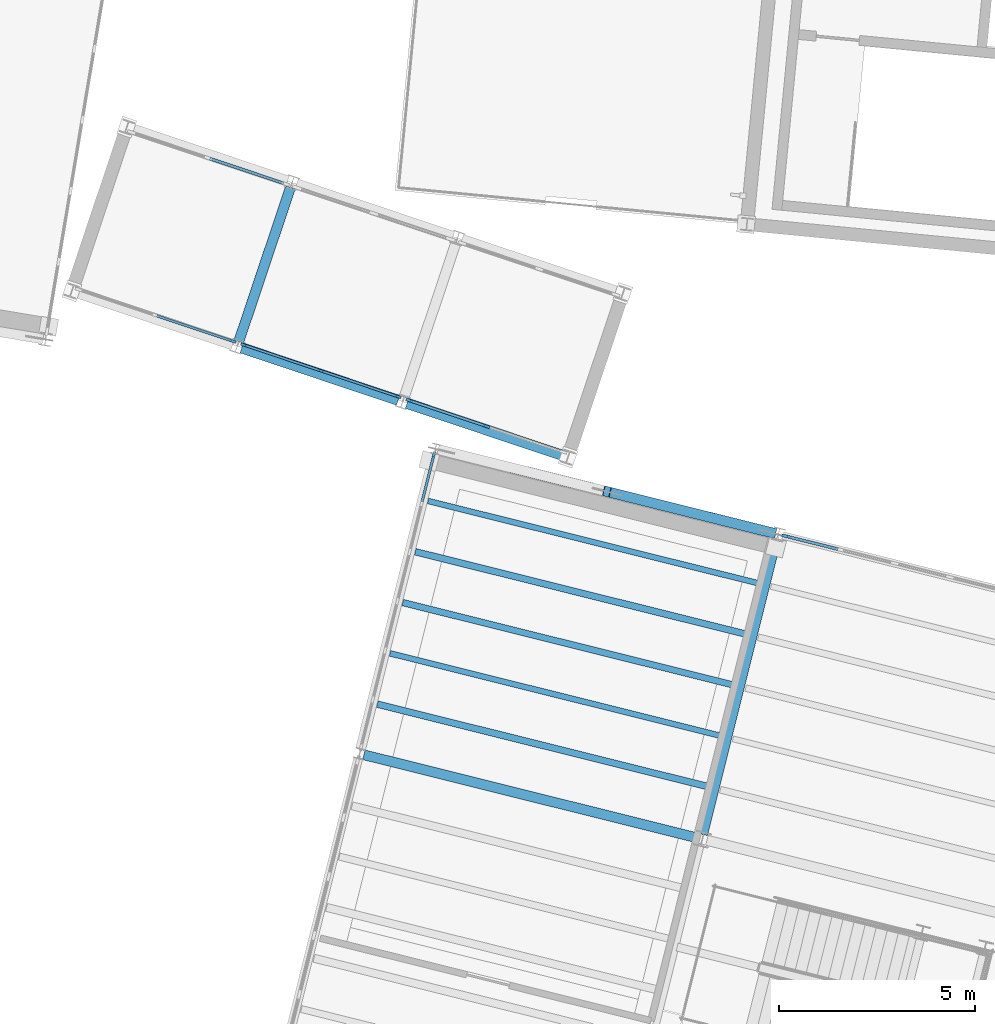
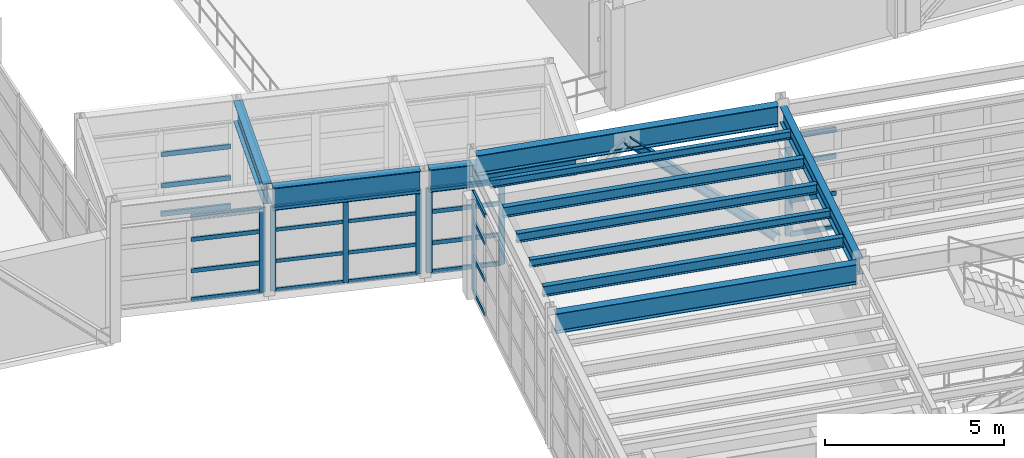
# One storey, part 26 of 102: 36 members, 11 beams, 6 elements without a shape of their own.
"""IFC4 building model written with IfcOpenShell, lengths in metres."""

from ifc_helpers import new_model, si_unit, direction, frame, origin, origin_2d, place, context, subcontext, project, spatial, rectangle, i_section, extrude, material, layer, layer_set, material_profile, profile_set, type_object, element, aggregate, save


model = new_model("IFC4")

# Units and contexts
model_context = context("Model", 3, precision=1e-05, world=origin(), true_north=direction((0.0, 1.0)))
body_context = subcontext(model_context, "Body", "Model", "MODEL_VIEW")
ifc_project = project(units=[si_unit("LENGTHUNIT", "METRE"), si_unit("AREAUNIT", "SQUARE_METRE"), si_unit("VOLUMEUNIT", "CUBIC_METRE"), si_unit("PLANEANGLEUNIT", "RADIAN"), si_unit("MASSUNIT", "GRAM", prefix="KILO")], contexts=[model_context])

# Site, building, storey
site_placement = place(None, origin())
site = spatial("IfcSite", under=ifc_project, at=site_placement, CompositionType="ELEMENT")
building_placement = place(site_placement, origin())
building = spatial("IfcBuilding", under=site, at=building_placement, Name="Vireo Bluff Cable Station", CompositionType="ELEMENT")
storey_placement = place(building_placement, frame((0.0, 0.0, 9.60009765625)))
storey = spatial("IfcBuildingStorey", under=building, at=storey_placement, Name="L02", CompositionType="ELEMENT", Elevation=9.60009765625)

# Beam
ifc_material_1 = material(Name="Steel ASTM A992 Gr. 50", Category="steel")
ifc_material_profile_1 = material_profile(ifc_material_1, i_section(OverallWidth=0.2099609375, OverallDepth=0.535888671875, WebThickness=0.010986328125, FlangeThickness=0.017333984375, FilletRadius=0.012939453125, at=origin_2d()), Name="W21X68")
ifc_profile_set_1 = profile_set([ifc_material_profile_1], Name="Steel ASTM A992 Gr. 50")
beam_type_1 = type_object("IfcBeamType", Name="BM-W21X68", PredefinedType="BEAM", material=ifc_profile_set_1)
beam_1_placement = place(storey_placement, frame((66.63232421875, 51.4638671875, 4.27197265625), z_axis=(0.241935966891, 0.970292217801, 0.0), x_axis=(-0.970292217801, 0.241935966891, 0.0)))
element("IfcBeam", 1, at=beam_1_placement, inside=storey, type_object=beam_type_1, Name="V1 L02 beam 174", PredefinedType="BEAM", context=body_context, shape_type="SweptSolid", body=[
    extrude(i_section(OverallWidth=0.2099609375, OverallDepth=0.535888671875, WebThickness=0.010986328125, FlangeThickness=0.017333984375, FilletRadius=0.012939453125, at=origin_2d()), origin(), (0.0, 0.0, 1.0), 7.760009765625),
])

# Member
ifc_material_profile_2 = material_profile(ifc_material_1, i_section(OverallWidth=0.257080078125, OverallDepth=0.263916015625, WebThickness=0.011962890625, FlangeThickness=0.01953125, FilletRadius=0.009033203125, at=origin_2d()), Name="W10X68")
ifc_profile_set_2 = profile_set([ifc_material_profile_2], Name="Steel ASTM A992 Gr. 50")
member_type_1 = type_object("IfcMemberType", Name="BRC-03", PredefinedType="BRACE", material=ifc_profile_set_2)
member_1_placement = place(storey_placement, frame((68.383544921875, 59.1484375, 0.039794921875), z_axis=(-0.70208416018, 0.175063132526, 0.690239619012), x_axis=(-0.241939969626, -0.970291219736, 0.0)))
element("IfcMember", 2, at=member_1_placement, inside=storey, type_object=member_type_1, Name="V1 L02 concentric brace 8R", PredefinedType="BRACE", context=body_context, shape_type="SweptSolid", body=[
    extrude(i_section(OverallWidth=0.257080078125, OverallDepth=0.263916015625, WebThickness=0.011962890625, FlangeThickness=0.01953125, FilletRadius=0.009033203125, at=origin_2d()), origin(), (0.0, 0.0, 1.0), 5.998046875),
])

# Curtain wall, member
ifc_material_2 = material(Name="Anodized Aluminium 6063-T6", Category="aluminium")
ifc_layer_1 = layer(ifc_material_2, 0.179931640625, Name="Anodized Aluminium 6063-T6")
ifc_layer_set_1 = layer_set([ifc_layer_1], Name="Anodized Aluminium 6063-T6")
curtain_wall_type_1 = type_object("IfcCurtainWallType", Name="CW-UNIT-1400", PredefinedType="USERDEFINED", material=ifc_layer_set_1)
curtain_wall_1_placement = place(storey_placement, origin())
curtain_wall_1 = element("IfcCurtainWall", 3, at=curtain_wall_1_placement, inside=storey, type_object=curtain_wall_type_1, Name="V1 L02 west curtain wall CW-012", ObjectType="UNITISED CURTAIN WALL", PredefinedType="USERDEFINED")
ifc_material_profile_3 = material_profile(ifc_material_2, rectangle(XDim=0.06494140625, YDim=0.179931640625, at=origin_2d()), Name="ALU-M-65X180")
ifc_profile_set_3 = profile_set([ifc_material_profile_3], Name="Anodized Aluminium 6063-T6")
member_type_2 = type_object("IfcMemberType", Name="CWM-01", PredefinedType="MULLION", material=ifc_profile_set_3)
member_2_placement = place(storey_placement, frame((59.7666015625, 61.12890625, 0.0), z_axis=(0.0, 0.0, 1.0), x_axis=(-0.970295713157, 0.241921948216, 0.0)))
member_2 = element("IfcMember", 4, at=member_2_placement, type_object=member_type_2, Name="CW-012 mullion 7", PredefinedType="MULLION", context=body_context, shape_type="SweptSolid", body=[
    extrude(rectangle(XDim=0.06494140625, YDim=0.179931640625, at=origin_2d()), origin(), (0.0, 0.0, 1.0), 3.39990234375),
])

ifc_layer_2 = layer(ifc_material_2, 0.159912109375, Name="Anodized Aluminium 6063-T6")
ifc_layer_set_2 = layer_set([ifc_layer_2], Name="Anodized Aluminium 6063-T6")
curtain_wall_type_2 = type_object("IfcCurtainWallType", Name="CW-STICK-1750", PredefinedType="USERDEFINED", material=ifc_layer_set_2)
curtain_wall_2_placement = place(storey_placement, origin())
curtain_wall_2 = element("IfcCurtainWall", 5, at=curtain_wall_2_placement, inside=storey, type_object=curtain_wall_type_2, Name="SKYBR L02 CABIN-TRANSFER-1L curtain wall CW-140", ObjectType="STICK CURTAIN WALL", PredefinedType="USERDEFINED")
member_3_placement = place(storey_placement, frame((54.64306640625, 64.02734375, 0.0), z_axis=(0.0, 0.0, 1.0), x_axis=(0.317927251237, 0.948115110586, 0.0)))
member_3 = element("IfcMember", 6, at=member_3_placement, type_object=member_type_2, Name="CW-140 mullion 3", PredefinedType="MULLION", context=body_context, shape_type="SweptSolid", body=[
    extrude(rectangle(XDim=0.06494140625, YDim=0.179931640625, at=origin_2d()), origin(), (0.0, 0.0, 1.0), 2.8798828125),
])

# Curtain wall, members
curtain_wall_3_placement = place(storey_placement, origin())
curtain_wall_3 = element("IfcCurtainWall", 7, at=curtain_wall_3_placement, inside=storey, type_object=curtain_wall_type_2, Name="SKYBR L02 CABIN-TRANSFER-3L curtain wall CW-144", ObjectType="STICK CURTAIN WALL", PredefinedType="USERDEFINED")
member_4_placement = place(storey_placement, frame((59.14306640625, 62.51806640625, 0.0), z_axis=(0.0, 0.0, 1.0), x_axis=(0.317934428309, 0.9481127039, 0.0)))
member_4 = element("IfcMember", 8, at=member_4_placement, type_object=member_type_2, Name="CW-144 mullion 1", PredefinedType="MULLION", context=body_context, shape_type="SweptSolid", body=[
    extrude(rectangle(XDim=0.06494140625, YDim=0.179931640625, at=origin_2d()), origin(), (0.0, 0.0, 1.0), 2.8798828125),
])
member_5_placement = place(storey_placement, frame((61.103271484375, 61.860595703125, 0.0), z_axis=(0.0, 0.0, 1.0), x_axis=(0.317934428309, 0.9481127039, 0.0)))
member_5 = element("IfcMember", 9, at=member_5_placement, type_object=member_type_2, Name="CW-144 mullion 2", PredefinedType="MULLION", context=body_context, shape_type="SweptSolid", body=[
    extrude(rectangle(XDim=0.06494140625, YDim=0.179931640625, at=origin_2d()), origin(), (0.0, 0.0, 1.0), 2.8798828125),
])

# Curtain wall, member
ifc_layer_3 = layer(ifc_material_2, 0.179931640625, Name="Anodized Aluminium 6063-T6")
ifc_layer_set_3 = layer_set([ifc_layer_3], Name="Anodized Aluminium 6063-T6")
curtain_wall_type_3 = type_object("IfcCurtainWallType", Name="CW-UNIT-1500", PredefinedType="USERDEFINED", material=ifc_layer_set_3)
curtain_wall_4_placement = place(storey_placement, origin())
curtain_wall_4 = element("IfcCurtainWall", 10, at=curtain_wall_4_placement, inside=storey, type_object=curtain_wall_type_3, Name="V1 L02 north curtain wall CW-013", ObjectType="UNITISED CURTAIN WALL", PredefinedType="USERDEFINED")
ifc_material_profile_4 = material_profile(ifc_material_2, rectangle(XDim=0.074951171875, YDim=0.2099609375, at=origin_2d()), Name="ALU-M-75X210")
ifc_profile_set_4 = profile_set([ifc_material_profile_4], Name="Anodized Aluminium 6063-T6")
member_type_3 = type_object("IfcMemberType", Name="CWM-02", PredefinedType="MULLION", material=ifc_profile_set_4)
member_6_placement = place(storey_placement, frame((68.72900390625, 59.0625, 0.0), z_axis=(0.0, 0.0, 1.0), x_axis=(0.24192190952, 0.970295722805, 0.0)))
member_6 = element("IfcMember", 11, at=member_6_placement, type_object=member_type_3, Name="CW-013 mullion 1", PredefinedType="MULLION", context=body_context, shape_type="SweptSolid", body=[
    extrude(rectangle(XDim=0.074951171875, YDim=0.2099609375, at=origin_2d()), origin(), (0.0, 0.0, 1.0), 3.39990234375),
])

# Curtain wall, members
curtain_wall_5_placement = place(storey_placement, origin())
curtain_wall_5 = element("IfcCurtainWall", 12, at=curtain_wall_5_placement, inside=storey, type_object=curtain_wall_type_2, Name="SKYBR L02 CABIN-TRANSFER-2L curtain wall CW-142", ObjectType="STICK CURTAIN WALL", PredefinedType="USERDEFINED")
ifc_material_profile_5 = material_profile(ifc_material_2, rectangle(XDim=0.06005859375, YDim=0.159912109375, at=origin_2d()), Name="ALU-M-60X160")
ifc_profile_set_5 = profile_set([ifc_material_profile_5], Name="Anodized Aluminium 6063-T6")
member_type_4 = type_object("IfcMemberType", Name="CWM-03", PredefinedType="MULLION", material=ifc_profile_set_5)
member_7_placement = place(storey_placement, frame((54.9296875, 63.930908203125, 0.0), z_axis=(0.0, 0.0, 1.0), x_axis=(0.317940960899, 0.948110513275, 0.0)))
member_7 = element("IfcMember", 13, at=member_7_placement, type_object=member_type_4, Name="CW-142 mullion 1", PredefinedType="MULLION", context=body_context, shape_type="SweptSolid", body=[
    extrude(rectangle(XDim=0.06005859375, YDim=0.159912109375, at=origin_2d()), origin(), (0.0, 0.0, 1.0), 2.8798828125),
])
member_8_placement = place(storey_placement, frame((56.89306640625, 63.272705078125, 0.0), z_axis=(0.0, 0.0, 1.0), x_axis=(0.317940960899, 0.948110513275, 0.0)))
member_8 = element("IfcMember", 14, at=member_8_placement, type_object=member_type_4, Name="CW-142 mullion 2", PredefinedType="MULLION", context=body_context, shape_type="SweptSolid", body=[
    extrude(rectangle(XDim=0.06005859375, YDim=0.159912109375, at=origin_2d()), origin(), (0.0, 0.0, 1.0), 2.8798828125),
])
member_9_placement = place(storey_placement, frame((58.856201171875, 62.6142578125, 0.0), z_axis=(0.0, 0.0, 1.0), x_axis=(0.317940960899, 0.948110513275, 0.0)))
member_9 = element("IfcMember", 15, at=member_9_placement, type_object=member_type_4, Name="CW-142 mullion 3", PredefinedType="MULLION", context=body_context, shape_type="SweptSolid", body=[
    extrude(rectangle(XDim=0.06005859375, YDim=0.159912109375, at=origin_2d()), origin(), (0.0, 0.0, 1.0), 2.8798828125),
])

# Member
ifc_material_profile_6 = material_profile(ifc_material_2, rectangle(XDim=0.06494140625, YDim=0.139892578125, at=origin_2d()), Name="ALU-T-65X140")
ifc_profile_set_6 = profile_set([ifc_material_profile_6], Name="Anodized Aluminium 6063-T6")
member_type_5 = type_object("IfcMemberType", Name="CWT-01", PredefinedType="USERDEFINED", material=ifc_profile_set_6)
member_10_placement = place(storey_placement, frame((59.470458984375, 59.9404296875, 0.032470703125), z_axis=(0.241812901272, 0.970322895112, 0.0), x_axis=(-0.970322895112, 0.241812901272, 0.0)))
member_10 = element("IfcMember", 16, at=member_10_placement, type_object=member_type_5, Name="CW-012 transom 6.1", ObjectType="TRANSOM", PredefinedType="USERDEFINED", context=body_context, shape_type="SweptSolid", body=[
    extrude(rectangle(XDim=0.06494140625, YDim=0.139892578125, at=origin_2d()), origin(), (0.0, 0.0, 1.0), 1.1923828125),
])

member_11_placement = place(storey_placement, frame((59.470458984375, 59.9404296875, 1.18994140625), z_axis=(0.241812901272, 0.970322895112, 0.0), x_axis=(-0.970322895112, 0.241812901272, 0.0)))
member_11 = element("IfcMember", 17, at=member_11_placement, type_object=member_type_5, Name="CW-012 transom 6.2", ObjectType="TRANSOM", PredefinedType="USERDEFINED", context=body_context, shape_type="SweptSolid", body=[
    extrude(rectangle(XDim=0.06494140625, YDim=0.139892578125, at=origin_2d()), origin(), (0.0, 0.0, 1.0), 1.1923828125),
])

member_12_placement = place(storey_placement, frame((59.470458984375, 59.9404296875, 2.447998046875), z_axis=(0.241812901272, 0.970322895112, 0.0), x_axis=(-0.970322895112, 0.241812901272, 0.0)))
member_12 = element("IfcMember", 18, at=member_12_placement, type_object=member_type_5, Name="CW-012 transom 6.3", ObjectType="TRANSOM", PredefinedType="USERDEFINED", context=body_context, shape_type="SweptSolid", body=[
    extrude(rectangle(XDim=0.06494140625, YDim=0.139892578125, at=origin_2d()), origin(), (0.0, 0.0, 1.0), 1.1923828125),
])

member_13_placement = place(storey_placement, frame((59.470458984375, 59.9404296875, 3.367431640625), z_axis=(0.241812901272, 0.970322895112, 0.0), x_axis=(-0.970322895112, 0.241812901272, 0.0)))
member_13 = element("IfcMember", 19, at=member_13_placement, type_object=member_type_5, Name="CW-012 transom 6.4", ObjectType="TRANSOM", PredefinedType="USERDEFINED", context=body_context, shape_type="SweptSolid", body=[
    extrude(rectangle(XDim=0.06494140625, YDim=0.139892578125, at=origin_2d()), origin(), (0.0, 0.0, 1.0), 1.1923828125),
])

aggregate(curtain_wall_1, [member_2, member_10, member_11, member_12, member_13])

member_14_placement = place(storey_placement, frame((52.713623046875, 64.67431640625, 0.032470703125), z_axis=(0.948096428666, -0.317982958586, 0.0), x_axis=(0.317982958586, 0.948096428666, 0.0)))
member_14 = element("IfcMember", 20, at=member_14_placement, type_object=member_type_5, Name="CW-140 transom 2.1", ObjectType="TRANSOM", PredefinedType="USERDEFINED", context=body_context, shape_type="SweptSolid", body=[
    extrude(rectangle(XDim=0.06494140625, YDim=0.139892578125, at=origin_2d()), origin(), (0.0, 0.0, 1.0), 2.00244140625),
])

member_15_placement = place(storey_placement, frame((52.713623046875, 64.67431640625, 1.0078125), z_axis=(0.948096428666, -0.317982958586, 0.0), x_axis=(0.317982958586, 0.948096428666, 0.0)))
member_15 = element("IfcMember", 21, at=member_15_placement, type_object=member_type_5, Name="CW-140 transom 2.2", ObjectType="TRANSOM", PredefinedType="USERDEFINED", context=body_context, shape_type="SweptSolid", body=[
    extrude(rectangle(XDim=0.06494140625, YDim=0.139892578125, at=origin_2d()), origin(), (0.0, 0.0, 1.0), 2.00244140625),
])

member_16_placement = place(storey_placement, frame((52.713623046875, 64.67431640625, 2.073486328125), z_axis=(0.948096428666, -0.317982958586, 0.0), x_axis=(0.317982958586, 0.948096428666, 0.0)))
member_16 = element("IfcMember", 22, at=member_16_placement, type_object=member_type_5, Name="CW-140 transom 2.3", ObjectType="TRANSOM", PredefinedType="USERDEFINED", context=body_context, shape_type="SweptSolid", body=[
    extrude(rectangle(XDim=0.06494140625, YDim=0.139892578125, at=origin_2d()), origin(), (0.0, 0.0, 1.0), 2.00244140625),
])

member_17_placement = place(storey_placement, frame((52.713623046875, 64.67431640625, 2.847412109375), z_axis=(0.948096428666, -0.317982958586, 0.0), x_axis=(0.317982958586, 0.948096428666, 0.0)))
member_17 = element("IfcMember", 23, at=member_17_placement, type_object=member_type_5, Name="CW-140 transom 2.4", ObjectType="TRANSOM", PredefinedType="USERDEFINED", context=body_context, shape_type="SweptSolid", body=[
    extrude(rectangle(XDim=0.06494140625, YDim=0.139892578125, at=origin_2d()), origin(), (0.0, 0.0, 1.0), 2.00244140625),
])

aggregate(curtain_wall_2, [member_3, member_14, member_15, member_16, member_17])

member_18_placement = place(storey_placement, frame((59.173828125, 62.507568359375, 0.032470703125), z_axis=(0.948133181819, -0.317873354553, 0.0), x_axis=(0.317873354553, 0.948133181819, 0.0)))
member_18 = element("IfcMember", 24, at=member_18_placement, type_object=member_type_5, Name="CW-144 transom 1.1", ObjectType="TRANSOM", PredefinedType="USERDEFINED", context=body_context, shape_type="SweptSolid", body=[
    extrude(rectangle(XDim=0.06494140625, YDim=0.139892578125, at=origin_2d()), origin(), (0.0, 0.0, 1.0), 2.002197265625),
])

member_19_placement = place(storey_placement, frame((59.173828125, 62.507568359375, 1.0078125), z_axis=(0.948133181819, -0.317873354553, 0.0), x_axis=(0.317873354553, 0.948133181819, 0.0)))
member_19 = element("IfcMember", 25, at=member_19_placement, type_object=member_type_5, Name="CW-144 transom 1.2", ObjectType="TRANSOM", PredefinedType="USERDEFINED", context=body_context, shape_type="SweptSolid", body=[
    extrude(rectangle(XDim=0.06494140625, YDim=0.139892578125, at=origin_2d()), origin(), (0.0, 0.0, 1.0), 2.002197265625),
])

member_20_placement = place(storey_placement, frame((59.173828125, 62.507568359375, 2.073486328125), z_axis=(0.948133181819, -0.317873354553, 0.0), x_axis=(0.317873354553, 0.948133181819, 0.0)))
member_20 = element("IfcMember", 26, at=member_20_placement, type_object=member_type_5, Name="CW-144 transom 1.3", ObjectType="TRANSOM", PredefinedType="USERDEFINED", context=body_context, shape_type="SweptSolid", body=[
    extrude(rectangle(XDim=0.06494140625, YDim=0.139892578125, at=origin_2d()), origin(), (0.0, 0.0, 1.0), 2.002197265625),
])

member_21_placement = place(storey_placement, frame((59.173828125, 62.507568359375, 2.847412109375), z_axis=(0.948133181819, -0.317873354553, 0.0), x_axis=(0.317873354553, 0.948133181819, 0.0)))
member_21 = element("IfcMember", 27, at=member_21_placement, type_object=member_type_5, Name="CW-144 transom 1.4", ObjectType="TRANSOM", PredefinedType="USERDEFINED", context=body_context, shape_type="SweptSolid", body=[
    extrude(rectangle(XDim=0.06494140625, YDim=0.139892578125, at=origin_2d()), origin(), (0.0, 0.0, 1.0), 2.002197265625),
])

aggregate(curtain_wall_3, [member_4, member_5, member_18, member_19, member_20, member_21])

ifc_material_profile_7 = material_profile(ifc_material_2, rectangle(XDim=0.074951171875, YDim=0.159912109375, at=origin_2d()), Name="ALU-T-75X160")
ifc_profile_set_7 = profile_set([ifc_material_profile_7], Name="Anodized Aluminium 6063-T6")
member_type_6 = type_object("IfcMemberType", Name="CWT-02", PredefinedType="USERDEFINED", material=ifc_profile_set_7)
member_22_placement = place(storey_placement, frame((68.765380859375, 59.05322265625, 0.037353515625), z_axis=(0.970314434625, -0.241846848147, 0.0), x_axis=(0.241846848147, 0.970314434625, 0.0)))
member_22 = element("IfcMember", 28, at=member_22_placement, type_object=member_type_6, Name="CW-013 transom 1.1", ObjectType="TRANSOM", PredefinedType="USERDEFINED", context=body_context, shape_type="SweptSolid", body=[
    extrude(rectangle(XDim=0.074951171875, YDim=0.159912109375, at=origin_2d()), origin(), (0.0, 0.0, 1.0), 1.33447265625),
])

member_23_placement = place(storey_placement, frame((68.765380859375, 59.05322265625, 1.18994140625), z_axis=(0.970314434625, -0.241846848147, 0.0), x_axis=(0.241846848147, 0.970314434625, 0.0)))
member_23 = element("IfcMember", 29, at=member_23_placement, type_object=member_type_6, Name="CW-013 transom 1.2", ObjectType="TRANSOM", PredefinedType="USERDEFINED", context=body_context, shape_type="SweptSolid", body=[
    extrude(rectangle(XDim=0.074951171875, YDim=0.159912109375, at=origin_2d()), origin(), (0.0, 0.0, 1.0), 1.33447265625),
])

member_24_placement = place(storey_placement, frame((68.765380859375, 59.05322265625, 2.447998046875), z_axis=(0.970314434625, -0.241846848147, 0.0), x_axis=(0.241846848147, 0.970314434625, 0.0)))
member_24 = element("IfcMember", 30, at=member_24_placement, type_object=member_type_6, Name="CW-013 transom 1.3", ObjectType="TRANSOM", PredefinedType="USERDEFINED", context=body_context, shape_type="SweptSolid", body=[
    extrude(rectangle(XDim=0.074951171875, YDim=0.159912109375, at=origin_2d()), origin(), (0.0, 0.0, 1.0), 1.33447265625),
])

member_25_placement = place(storey_placement, frame((68.765380859375, 59.05322265625, 3.3623046875), z_axis=(0.970314434625, -0.241846848147, 0.0), x_axis=(0.241846848147, 0.970314434625, 0.0)))
member_25 = element("IfcMember", 31, at=member_25_placement, type_object=member_type_6, Name="CW-013 transom 1.4", ObjectType="TRANSOM", PredefinedType="USERDEFINED", context=body_context, shape_type="SweptSolid", body=[
    extrude(rectangle(XDim=0.074951171875, YDim=0.159912109375, at=origin_2d()), origin(), (0.0, 0.0, 1.0), 1.33447265625),
])

aggregate(curtain_wall_4, [member_6, member_22, member_23, member_24, member_25])

# Curtain wall, members
ifc_layer_4 = layer(ifc_material_2, 0.159912109375, Name="Anodized Aluminium 6063-T6")
ifc_layer_set_4 = layer_set([ifc_layer_4], Name="Anodized Aluminium 6063-T6")
curtain_wall_type_4 = type_object("IfcCurtainWallType", Name="CW-STICK-1850", PredefinedType="USERDEFINED", material=ifc_layer_set_4)
curtain_wall_6_placement = place(storey_placement, origin())
curtain_wall_6 = element("IfcCurtainWall", 32, at=curtain_wall_6_placement, inside=storey, type_object=curtain_wall_type_4, Name="SKYBR L02 CABIN-TRANSFER-1R curtain wall CW-141", ObjectType="STICK CURTAIN WALL", PredefinedType="USERDEFINED")
member_26_placement = place(storey_placement, frame((54.0615234375, 68.677490234375, 0.037353515625), z_axis=(0.948116696973, -0.317922520312, 0.0), x_axis=(0.317922520312, 0.948116696973, 0.0)))
member_26 = element("IfcMember", 33, at=member_26_placement, type_object=member_type_6, Name="CW-141 transom 2.1", ObjectType="TRANSOM", PredefinedType="USERDEFINED", context=body_context, shape_type="SweptSolid", body=[
    extrude(rectangle(XDim=0.074951171875, YDim=0.159912109375, at=origin_2d()), origin(), (0.0, 0.0, 1.0), 1.9873046875),
])
member_27_placement = place(storey_placement, frame((54.0615234375, 68.677490234375, 1.0078125), z_axis=(0.948116696973, -0.317922520312, 0.0), x_axis=(0.317922520312, 0.948116696973, 0.0)))
member_27 = element("IfcMember", 34, at=member_27_placement, type_object=member_type_6, Name="CW-141 transom 2.2", ObjectType="TRANSOM", PredefinedType="USERDEFINED", context=body_context, shape_type="SweptSolid", body=[
    extrude(rectangle(XDim=0.074951171875, YDim=0.159912109375, at=origin_2d()), origin(), (0.0, 0.0, 1.0), 1.9873046875),
])
member_28_placement = place(storey_placement, frame((54.0615234375, 68.677490234375, 2.073486328125), z_axis=(0.948116696973, -0.317922520312, 0.0), x_axis=(0.317922520312, 0.948116696973, 0.0)))
member_28 = element("IfcMember", 35, at=member_28_placement, type_object=member_type_6, Name="CW-141 transom 2.3", ObjectType="TRANSOM", PredefinedType="USERDEFINED", context=body_context, shape_type="SweptSolid", body=[
    extrude(rectangle(XDim=0.074951171875, YDim=0.159912109375, at=origin_2d()), origin(), (0.0, 0.0, 1.0), 1.9873046875),
])
aggregate(curtain_wall_6, [member_26, member_27, member_28])

# Member
ifc_material_profile_8 = material_profile(ifc_material_2, rectangle(XDim=0.06005859375, YDim=0.1201171875, at=origin_2d()), Name="ALU-T-60X120")
ifc_profile_set_8 = profile_set([ifc_material_profile_8], Name="Anodized Aluminium 6063-T6")
member_type_7 = type_object("IfcMemberType", Name="CWT-03", PredefinedType="USERDEFINED", material=ifc_profile_set_8)
member_29_placement = place(storey_placement, frame((54.958251953125, 63.92138671875, 0.02978515625), z_axis=(0.948123241361, -0.317903002803, 0.0), x_axis=(0.317903002803, 0.948123241361, 0.0)))
member_29 = element("IfcMember", 36, at=member_29_placement, type_object=member_type_7, Name="CW-142 transom 1.1", ObjectType="TRANSOM", PredefinedType="USERDEFINED", context=body_context, shape_type="SweptSolid", body=[
    extrude(rectangle(XDim=0.06005859375, YDim=0.1201171875, at=origin_2d()), origin(), (0.0, 0.0, 1.0), 2.010498046875),
])

member_30_placement = place(storey_placement, frame((54.958251953125, 63.92138671875, 1.0078125), z_axis=(0.948123241361, -0.317903002803, 0.0), x_axis=(0.317903002803, 0.948123241361, 0.0)))
member_30 = element("IfcMember", 37, at=member_30_placement, type_object=member_type_7, Name="CW-142 transom 1.2", ObjectType="TRANSOM", PredefinedType="USERDEFINED", context=body_context, shape_type="SweptSolid", body=[
    extrude(rectangle(XDim=0.06005859375, YDim=0.1201171875, at=origin_2d()), origin(), (0.0, 0.0, 1.0), 2.010498046875),
])

member_31_placement = place(storey_placement, frame((54.958251953125, 63.92138671875, 2.073486328125), z_axis=(0.948123241361, -0.317903002803, 0.0), x_axis=(0.317903002803, 0.948123241361, 0.0)))
member_31 = element("IfcMember", 38, at=member_31_placement, type_object=member_type_7, Name="CW-142 transom 1.3", ObjectType="TRANSOM", PredefinedType="USERDEFINED", context=body_context, shape_type="SweptSolid", body=[
    extrude(rectangle(XDim=0.06005859375, YDim=0.1201171875, at=origin_2d()), origin(), (0.0, 0.0, 1.0), 2.010498046875),
])

member_32_placement = place(storey_placement, frame((54.958251953125, 63.92138671875, 2.849853515625), z_axis=(0.948123241361, -0.317903002803, 0.0), x_axis=(0.317903002803, 0.948123241361, 0.0)))
member_32 = element("IfcMember", 39, at=member_32_placement, type_object=member_type_7, Name="CW-142 transom 1.4", ObjectType="TRANSOM", PredefinedType="USERDEFINED", context=body_context, shape_type="SweptSolid", body=[
    extrude(rectangle(XDim=0.06005859375, YDim=0.1201171875, at=origin_2d()), origin(), (0.0, 0.0, 1.0), 2.010498046875),
])

member_33_placement = place(storey_placement, frame((56.92138671875, 63.26318359375, 0.02978515625), z_axis=(0.948098914014, -0.317975548188, 0.0), x_axis=(0.317975548188, 0.948098914014, 0.0)))
member_33 = element("IfcMember", 40, at=member_33_placement, type_object=member_type_7, Name="CW-142 transom 2.1", ObjectType="TRANSOM", PredefinedType="USERDEFINED", context=body_context, shape_type="SweptSolid", body=[
    extrude(rectangle(XDim=0.06005859375, YDim=0.1201171875, at=origin_2d()), origin(), (0.0, 0.0, 1.0), 2.0107421875),
])

member_34_placement = place(storey_placement, frame((56.92138671875, 63.26318359375, 1.0078125), z_axis=(0.948098914014, -0.317975548188, 0.0), x_axis=(0.317975548188, 0.948098914014, 0.0)))
member_34 = element("IfcMember", 41, at=member_34_placement, type_object=member_type_7, Name="CW-142 transom 2.2", ObjectType="TRANSOM", PredefinedType="USERDEFINED", context=body_context, shape_type="SweptSolid", body=[
    extrude(rectangle(XDim=0.06005859375, YDim=0.1201171875, at=origin_2d()), origin(), (0.0, 0.0, 1.0), 2.0107421875),
])

member_35_placement = place(storey_placement, frame((56.92138671875, 63.26318359375, 2.073486328125), z_axis=(0.948098914014, -0.317975548188, 0.0), x_axis=(0.317975548188, 0.948098914014, 0.0)))
member_35 = element("IfcMember", 42, at=member_35_placement, type_object=member_type_7, Name="CW-142 transom 2.3", ObjectType="TRANSOM", PredefinedType="USERDEFINED", context=body_context, shape_type="SweptSolid", body=[
    extrude(rectangle(XDim=0.06005859375, YDim=0.1201171875, at=origin_2d()), origin(), (0.0, 0.0, 1.0), 2.0107421875),
])

member_36_placement = place(storey_placement, frame((56.92138671875, 63.26318359375, 2.849853515625), z_axis=(0.948098914014, -0.317975548188, 0.0), x_axis=(0.317975548188, 0.948098914014, 0.0)))
member_36 = element("IfcMember", 43, at=member_36_placement, type_object=member_type_7, Name="CW-142 transom 2.4", ObjectType="TRANSOM", PredefinedType="USERDEFINED", context=body_context, shape_type="SweptSolid", body=[
    extrude(rectangle(XDim=0.06005859375, YDim=0.1201171875, at=origin_2d()), origin(), (0.0, 0.0, 1.0), 2.0107421875),
])

aggregate(curtain_wall_5, [member_7, member_8, member_9, member_29, member_30, member_31, member_32, member_33, member_34, member_35, member_36])

# Beams
ifc_material_profile_9 = material_profile(ifc_material_1, i_section(OverallWidth=0.257080078125, OverallDepth=0.693115234375, WebThickness=0.014404296875, FlangeThickness=0.023681640625, FilletRadius=0.014892578125, at=origin_2d()), Name="W27X114")
ifc_profile_set_9 = profile_set([ifc_material_profile_9], Name="Steel ASTM A992 Gr. 50")
beam_type_2 = type_object("IfcBeamType", Name="EXTGIR-W27X114", PredefinedType="USERDEFINED", material=ifc_profile_set_9)
beam_2_placement = place(storey_placement, frame((54.801513671875, 64.0205078125, 3.284912109375), z_axis=(0.317980338391, 0.948097307451, 0.0), x_axis=(-0.948097307451, 0.317980338391, 0.0)))
element("IfcBeam", 44, at=beam_2_placement, inside=storey, type_object=beam_type_2, Name="CABIN-TRANSFER skybridge bent cap 2 L02", ObjectType="GIRDER", PredefinedType="USERDEFINED", context=body_context, shape_type="SweptSolid", body=[
    extrude(i_section(OverallWidth=0.257080078125, OverallDepth=0.693115234375, WebThickness=0.014404296875, FlangeThickness=0.023681640625, FilletRadius=0.014892578125, at=origin_2d()), origin(), (0.0, 0.0, 1.0), 4.135986328125),
])
ifc_material_profile_10 = material_profile(ifc_material_1, i_section(OverallWidth=0.26708984375, OverallDepth=0.77001953125, WebThickness=0.015625, FlangeThickness=0.025390625, FilletRadius=0.01611328125, at=origin_2d()), Name="W30X132")
ifc_profile_set_10 = profile_set([ifc_material_profile_10], Name="Steel ASTM A992 Gr. 50")
beam_type_3 = type_object("IfcBeamType", Name="EXTGIR-W30X132", PredefinedType="USERDEFINED", material=ifc_profile_set_10)
beam_3_placement = place(storey_placement, frame((54.873291015625, 63.857177734375, 3.25), z_axis=(0.948100609956, -0.3179704914, 0.0), x_axis=(0.3179704914, 0.948100609956, 0.0)))
element("IfcBeam", 45, at=beam_3_placement, inside=storey, type_object=beam_type_3, Name="CABIN-TRANSFER skybridge roof girder 2L", ObjectType="GIRDER", PredefinedType="USERDEFINED", context=body_context, shape_type="SweptSolid", body=[
    extrude(i_section(OverallWidth=0.26708984375, OverallDepth=0.77001953125, WebThickness=0.015625, FlangeThickness=0.025390625, FilletRadius=0.01611328125, at=origin_2d()), origin(), (0.0, 0.0, 1.0), 4.201416015625),
])
beam_4_placement = place(storey_placement, frame((59.084228515625, 62.44482421875, 3.25), z_axis=(0.948117918397, -0.317918877726, 0.0), x_axis=(0.317918877726, 0.948117918397, 0.0)))
element("IfcBeam", 46, at=beam_4_placement, inside=storey, type_object=beam_type_3, Name="CABIN-TRANSFER skybridge roof girder 3L", ObjectType="GIRDER", PredefinedType="USERDEFINED", context=body_context, shape_type="SweptSolid", body=[
    extrude(i_section(OverallWidth=0.26708984375, OverallDepth=0.77001953125, WebThickness=0.015625, FlangeThickness=0.025390625, FilletRadius=0.01611328125, at=origin_2d()), origin(), (0.0, 0.0, 1.0), 4.199951171875),
])
ifc_material_profile_11 = material_profile(ifc_material_1, i_section(OverallWidth=0.2529296875, OverallDepth=0.677978515625, WebThickness=0.01171875, FlangeThickness=0.016357421875, FilletRadius=0.014892578125, at=origin_2d()), Name="W27X84")
ifc_profile_set_11 = profile_set([ifc_material_profile_11], Name="Steel ASTM A992 Gr. 50")
beam_type_4 = type_object("IfcBeamType", Name="GIR-W27X84", PredefinedType="USERDEFINED", material=ifc_profile_set_11)
beam_5_placement = place(storey_placement, frame((57.9873046875, 53.49560546875, 4.200927734375), z_axis=(0.970298044881, -0.241912595995, 0.0), x_axis=(0.241912595995, 0.970298044881, 0.0)))
element("IfcBeam", 47, at=beam_5_placement, inside=storey, type_object=beam_type_4, Name="V1 L02 girder 157", ObjectType="GIRDER", PredefinedType="USERDEFINED", context=body_context, shape_type="SweptSolid", body=[
    extrude(i_section(OverallWidth=0.2529296875, OverallDepth=0.677978515625, WebThickness=0.01171875, FlangeThickness=0.016357421875, FilletRadius=0.014892578125, at=origin_2d()), origin(), (0.0, 0.0, 1.0), 8.760009765625),
])
ifc_material_profile_12 = material_profile(ifc_material_1, i_section(OverallWidth=0.14599609375, OverallDepth=0.259033203125, WebThickness=0.006103515625, FlangeThickness=0.009033203125, FilletRadius=0.009033203125, at=origin_2d()), Name="W10X22")
ifc_profile_set_12 = profile_set([ifc_material_profile_12], Name="Steel ASTM A992 Gr. 50")
beam_type_5 = type_object("IfcBeamType", Name="JST-W10X22", PredefinedType="JOIST", material=ifc_profile_set_12)
beam_6_placement = place(storey_placement, frame((58.651611328125, 56.078369140625, 4.410400390625), z_axis=(0.970295467306, -0.24192293427, 0.0), x_axis=(0.24192293427, 0.970295467306, 0.0)))
element("IfcBeam", 48, at=beam_6_placement, inside=storey, type_object=beam_type_5, Name="V1 L02 composite joist 196", PredefinedType="JOIST", context=body_context, shape_type="SweptSolid", body=[
    extrude(i_section(OverallWidth=0.14599609375, OverallDepth=0.259033203125, WebThickness=0.006103515625, FlangeThickness=0.009033203125, FilletRadius=0.009033203125, at=origin_2d()), origin(), (0.0, 0.0, 1.0), 8.72021484375),
])
beam_7_placement = place(storey_placement, frame((59.619384765625, 59.95947265625, 4.410400390625), z_axis=(0.970293828661, -0.24192950639, 0.0), x_axis=(0.24192950639, 0.970293828661, 0.0)))
element("IfcBeam", 49, at=beam_7_placement, inside=storey, type_object=beam_type_5, Name="V1 L02 composite joist 199", PredefinedType="JOIST", context=body_context, shape_type="SweptSolid", body=[
    extrude(i_section(OverallWidth=0.14599609375, OverallDepth=0.259033203125, WebThickness=0.006103515625, FlangeThickness=0.009033203125, FilletRadius=0.009033203125, at=origin_2d()), origin(), (0.0, 0.0, 1.0), 8.719970703125),
])
ifc_material_profile_13 = material_profile(ifc_material_1, i_section(OverallWidth=0.1650390625, OverallDepth=0.31005859375, WebThickness=0.005859375, FlangeThickness=0.009765625, FilletRadius=0.010009765625, at=origin_2d()), Name="W12X26")
ifc_profile_set_13 = profile_set([ifc_material_profile_13], Name="Steel ASTM A992 Gr. 50")
beam_type_6 = type_object("IfcBeamType", Name="JST-W12X26", PredefinedType="JOIST", material=ifc_profile_set_13)
beam_8_placement = place(storey_placement, frame((58.974365234375, 57.3720703125, 4.385009765625), z_axis=(0.970293828661, -0.24192950639, 0.0), x_axis=(0.24192950639, 0.970293828661, 0.0)))
element("IfcBeam", 50, at=beam_8_placement, inside=storey, type_object=beam_type_6, Name="V1 L02 composite joist 197", PredefinedType="JOIST", context=body_context, shape_type="SweptSolid", body=[
    extrude(i_section(OverallWidth=0.1650390625, OverallDepth=0.31005859375, WebThickness=0.005859375, FlangeThickness=0.009765625, FilletRadius=0.010009765625, at=origin_2d()), origin(), (0.0, 0.0, 1.0), 8.719970703125),
])
ifc_material_profile_14 = material_profile(ifc_material_1, i_section(OverallWidth=0.1708984375, OverallDepth=0.35107421875, WebThickness=0.0068359375, FlangeThickness=0.009765625, FilletRadius=0.010009765625, at=origin_2d()), Name="W14X30")
ifc_profile_set_14 = profile_set([ifc_material_profile_14], Name="Steel ASTM A992 Gr. 50")
beam_type_7 = type_object("IfcBeamType", Name="JST-W14X30", PredefinedType="JOIST", material=ifc_profile_set_14)
for number, where, z_axis, x_axis, name in (
    (51, (58.3291015625, 54.78466796875, 4.364501953125), (0.970293828661, -0.24192950639, 0.0), (0.24192950639, 0.970293828661, 0.0), "V1 L02 composite joist 195"),
    (52, (59.296875, 58.665771484375, 4.364501953125), (0.970293828661, -0.24192950639, 0.0), (0.24192950639, 0.970293828661, 0.0), "V1 L02 composite joist 198"),
):
    element("IfcBeam", number, at=place(storey_placement, frame(where, z_axis=z_axis, x_axis=x_axis)), inside=storey, type_object=beam_type_7, Name=name, PredefinedType="JOIST", context=body_context, shape_type="SweptSolid", body=[
        extrude(i_section(OverallWidth=0.1708984375, OverallDepth=0.35107421875, WebThickness=0.0068359375, FlangeThickness=0.009765625, FilletRadius=0.010009765625, at=origin_2d()), origin(), (0.0, 0.0, 1.0), 8.719970703125),
    ])
ifc_material_profile_15 = material_profile(ifc_material_1, i_section(OverallWidth=0.257080078125, OverallDepth=0.693115234375, WebThickness=0.014404296875, FlangeThickness=0.023681640625, FilletRadius=0.014892578125, at=origin_2d()), Name="W27X114")
ifc_profile_set_15 = profile_set([ifc_material_profile_15], Name="Steel ASTM A992 Gr. 50")
beam_type_8 = type_object("IfcBeamType", Name="SPN-W27X114", PredefinedType="SPANDREL", material=ifc_profile_set_15)
beam_9_placement = place(storey_placement, frame((59.922607421875, 61.258056640625, 4.193359375), z_axis=(0.970298044881, -0.241912595995, 0.0), x_axis=(0.241912595995, 0.970298044881, 0.0)))
element("IfcBeam", 53, at=beam_9_placement, inside=storey, type_object=beam_type_8, Name="V1 L02 spandrel 163", PredefinedType="SPANDREL", context=body_context, shape_type="SweptSolid", body=[
    extrude(i_section(OverallWidth=0.257080078125, OverallDepth=0.693115234375, WebThickness=0.014404296875, FlangeThickness=0.023681640625, FilletRadius=0.014892578125, at=origin_2d()), origin(), (0.0, 0.0, 1.0), 8.760009765625),
])

save(model, "model.ifc")
